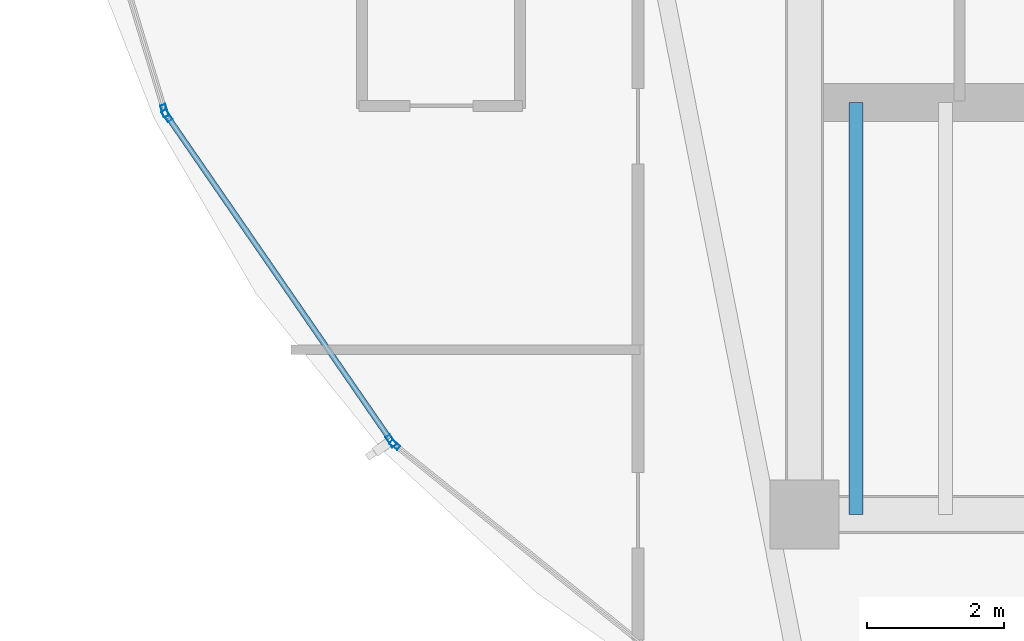
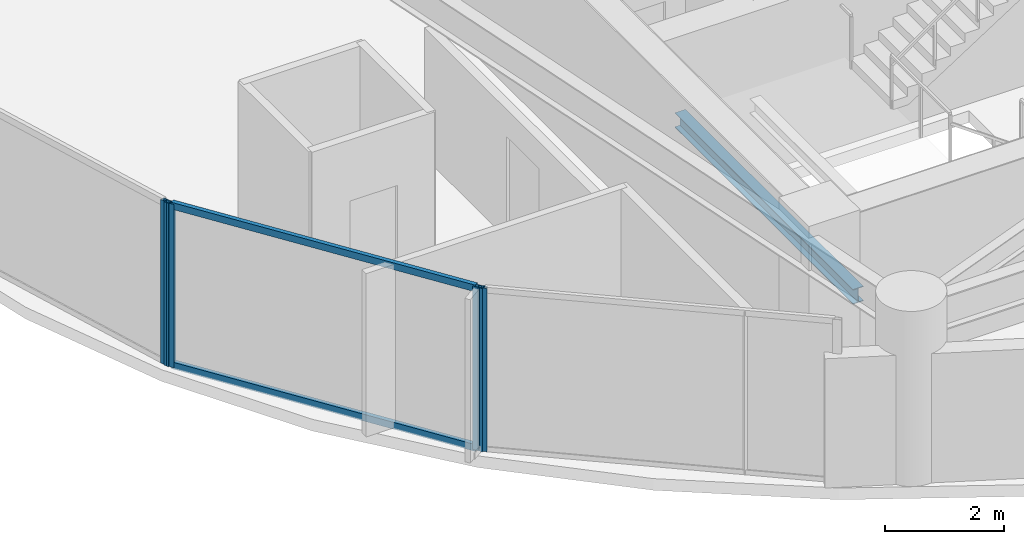
# One storey, part 3 of 34: 6 members, 1 beam, 3 elements without a shape of their own.
"""IFC4 building model written with IfcOpenShell, lengths in metres."""

from ifc_helpers import new_model, si_unit, direction, frame, origin, origin_2d, place, context, subcontext, project, spatial, hollow_rectangle, i_section, extrude, material, layer, layer_set, material_profile, profile_set, type_object, element, aggregate, save


model = new_model("IFC4")

# Units and contexts
model_context = context("Model", 3, precision=1e-05, world=origin(), true_north=direction((0.0, 1.0)))
body_context = subcontext(model_context, "Body", "Model", "MODEL_VIEW")
ifc_project = project(units=[si_unit("LENGTHUNIT", "METRE"), si_unit("AREAUNIT", "SQUARE_METRE"), si_unit("VOLUMEUNIT", "CUBIC_METRE"), si_unit("PLANEANGLEUNIT", "RADIAN"), si_unit("MASSUNIT", "GRAM", prefix="KILO")], contexts=[model_context])

# Site, building, storey
site_placement = place(None, origin())
site = spatial("IfcSite", under=ifc_project, at=site_placement, CompositionType="ELEMENT")
building_placement = place(site_placement, origin())
building = spatial("IfcBuilding", under=site, at=building_placement, Name="Kazevale Care Tower and Concert Hall", CompositionType="ELEMENT")
storey_placement = place(building_placement, frame((0.0, 0.0, 171.0)))
storey = spatial("IfcBuildingStorey", under=building, at=storey_placement, Name="L45", CompositionType="ELEMENT", Elevation=171.0)

# Curtain wall, members
ifc_material_1 = material(Name="Aluminium 6063-T6 and Low-E Glass", Category="aluminium")
ifc_layer_1 = layer(ifc_material_1, 0.179931640625)
ifc_layer_set_1 = layer_set([ifc_layer_1], Name="Aluminium 6063-T6 and Low-E Glass")
curtain_wall_type_1 = type_object("IfcCurtainWallType", Name="Waist & Upper Residential Curtain Wall CW-4", PredefinedType="NOTDEFINED", material=ifc_layer_set_1)
curtain_wall_1_placement = place(storey_placement, origin())
curtain_wall_1 = element("IfcCurtainWall", 1, at=curtain_wall_1_placement, inside=storey, type_object=curtain_wall_type_1, Name="cw:L45:f11", PredefinedType="NOTDEFINED")
ifc_material_2 = material(Name="Aluminium 6063-T6", Category="aluminium")
ifc_material_profile_1 = material_profile(ifc_material_2, hollow_rectangle(XDim=0.080078125, YDim=0.179931640625, WallThickness=0.0048828125, at=origin_2d()), Name="ALU80x180x5")
ifc_profile_set_1 = profile_set([ifc_material_profile_1], Name="Aluminium 6063-T6")
member_type_1 = type_object("IfcMemberType", Name="CW-4 Mullion ALU80x180x5", PredefinedType="MULLION", material=ifc_profile_set_1)
member_1_placement = place(storey_placement, frame((15.981201171875, 24.6708984375, 0.0), z_axis=(0.0, 0.0, 1.0), x_axis=(-0.823326035997, -0.567568708131, 0.0)))
member_1 = element("IfcMember", 2, at=member_1_placement, type_object=member_type_1, Name="CW-4 mullion 1", PredefinedType="MULLION", context=body_context, shape_type="SweptSolid", body=[
    extrude(hollow_rectangle(XDim=0.080078125, YDim=0.179931640625, WallThickness=0.0048828125, at=origin_2d()), origin(), (0.0, 0.0, 1.0), 3.360107421875),
])
member_2_placement = place(storey_placement, frame((12.7158203125, 29.407958984375, 0.0), z_axis=(0.0, 0.0, 1.0), x_axis=(-0.823326035997, -0.567568708131, 0.0)))
member_2 = element("IfcMember", 3, at=member_2_placement, type_object=member_type_1, Name="CW-4 mullion 2", PredefinedType="MULLION", context=body_context, shape_type="SweptSolid", body=[
    extrude(hollow_rectangle(XDim=0.080078125, YDim=0.179931640625, WallThickness=0.0048828125, at=origin_2d()), origin(), (0.0, 0.0, 1.0), 3.360107421875),
])

# Curtain wall, member
curtain_wall_2_placement = place(storey_placement, origin())
curtain_wall_2 = element("IfcCurtainWall", 4, at=curtain_wall_2_placement, inside=storey, type_object=curtain_wall_type_1, Name="cw:L45:f12", PredefinedType="NOTDEFINED")
member_3_placement = place(storey_placement, frame((12.681396484375, 29.479248046875, 0.0), z_axis=(0.0, 0.0, 1.0), x_axis=(-0.956729897234, -0.290977496961, 0.0)))
member_3 = element("IfcMember", 5, at=member_3_placement, type_object=member_type_1, Name="CW-4 mullion 1", PredefinedType="MULLION", context=body_context, shape_type="SweptSolid", body=[
    extrude(hollow_rectangle(XDim=0.080078125, YDim=0.179931640625, WallThickness=0.0048828125, at=origin_2d()), origin(), (0.0, 0.0, 1.0), 3.360107421875),
])
aggregate(curtain_wall_2, [member_3])

# Member
ifc_material_profile_2 = material_profile(ifc_material_2, hollow_rectangle(XDim=0.080078125, YDim=0.139892578125, WallThickness=0.00390625, at=origin_2d()), Name="ALU80x140x4")
ifc_profile_set_2 = profile_set([ifc_material_profile_2], Name="Aluminium 6063-T6")
member_type_2 = type_object("IfcMemberType", Name="CW-4 Transom ALU80x140x4", PredefinedType="USERDEFINED", material=ifc_profile_set_2)
member_4_placement = place(storey_placement, frame((15.95849609375, 24.703857421875, 0.0400390625), z_axis=(-0.567532833811, 0.823350765194, 0.0), x_axis=(-0.823350765194, -0.567532833811, 0.0)))
member_4 = element("IfcMember", 6, at=member_4_placement, type_object=member_type_2, Name="CW-4 transom 1.1", ObjectType="TRANSOM", PredefinedType="USERDEFINED", context=body_context, shape_type="SweptSolid", body=[
    extrude(hollow_rectangle(XDim=0.080078125, YDim=0.139892578125, WallThickness=0.00390625, at=origin_2d()), origin(), (0.0, 0.0, 1.0), 5.673583984375),
])

member_5_placement = place(storey_placement, frame((15.95849609375, 24.703857421875, 3.320068359375), z_axis=(-0.567532833811, 0.823350765194, 0.0), x_axis=(-0.823350765194, -0.567532833811, 0.0)))
member_5 = element("IfcMember", 7, at=member_5_placement, type_object=member_type_2, Name="CW-4 transom 1.2", ObjectType="TRANSOM", PredefinedType="USERDEFINED", context=body_context, shape_type="SweptSolid", body=[
    extrude(hollow_rectangle(XDim=0.080078125, YDim=0.139892578125, WallThickness=0.00390625, at=origin_2d()), origin(), (0.0, 0.0, 1.0), 5.673583984375),
])

aggregate(curtain_wall_1, [member_1, member_2, member_4, member_5])

# Curtain wall, member
ifc_layer_2 = layer(ifc_material_1, 0.179931640625)
ifc_layer_set_2 = layer_set([ifc_layer_2], Name="Aluminium 6063-T6 and Low-E Glass")
curtain_wall_type_2 = type_object("IfcCurtainWallType", Name="Sheltered Concave Balcony Curtain Wall CW-5", PredefinedType="NOTDEFINED", material=ifc_layer_set_2)
curtain_wall_3_placement = place(storey_placement, origin())
curtain_wall_3 = element("IfcCurtainWall", 8, at=curtain_wall_3_placement, inside=storey, type_object=curtain_wall_type_2, Name="cw:L45:f10", PredefinedType="NOTDEFINED")
ifc_material_profile_3 = material_profile(ifc_material_2, hollow_rectangle(XDim=0.074951171875, YDim=0.14990234375, WallThickness=0.00390625, at=origin_2d()), Name="ALU75x150x4")
ifc_profile_set_3 = profile_set([ifc_material_profile_3], Name="Aluminium 6063-T6")
member_type_3 = type_object("IfcMemberType", Name="CW-5 Mullion ALU75x150x4", PredefinedType="MULLION", material=ifc_profile_set_3)
member_6_placement = place(storey_placement, frame((16.033203125, 24.614501953125, 0.0), z_axis=(0.0, 0.0, 1.0), x_axis=(-0.626905357502, -0.779095419531, 0.0)))
member_6 = element("IfcMember", 9, at=member_6_placement, type_object=member_type_3, Name="CW-5 mullion 2", PredefinedType="MULLION", context=body_context, shape_type="SweptSolid", body=[
    extrude(hollow_rectangle(XDim=0.074951171875, YDim=0.14990234375, WallThickness=0.00390625, at=origin_2d()), origin(), (0.0, 0.0, 1.0), 3.360107421875),
])
aggregate(curtain_wall_3, [member_6])

# Beam
ifc_material_3 = material(Name="Steel ASTM A572 Gr 50", Category="steel")
ifc_material_profile_4 = material_profile(ifc_material_3, i_section(OverallWidth=0.202880859375, OverallDepth=0.302978515625, WebThickness=0.007568359375, FlangeThickness=0.01318359375, at=origin_2d()), Name="W310x60")
ifc_profile_set_4 = profile_set([ifc_material_profile_4], Name="Steel ASTM A572 Gr 50")
beam_type = type_object("IfcBeamType", Name="Stair & Balcony Trimmer W310x60", PredefinedType="BEAM", material=ifc_profile_set_4)
beam_placement = place(storey_placement, frame((22.75, 23.60009765625, 1.448486328125), z_axis=(0.0, 1.0, 0.0), x_axis=(-1.0, 0.0, 0.0)))
element("IfcBeam", 10, at=beam_placement, inside=storey, type_object=beam_type, Name="beam:L45:sttrim:ST1", PredefinedType="BEAM", context=body_context, shape_type="SweptSolid", body=[
    extrude(i_section(OverallWidth=0.202880859375, OverallDepth=0.302978515625, WebThickness=0.007568359375, FlangeThickness=0.01318359375, at=origin_2d()), origin(), (0.0, 0.0, 1.0), 6.0),
])

save(model, "model.ifc")
